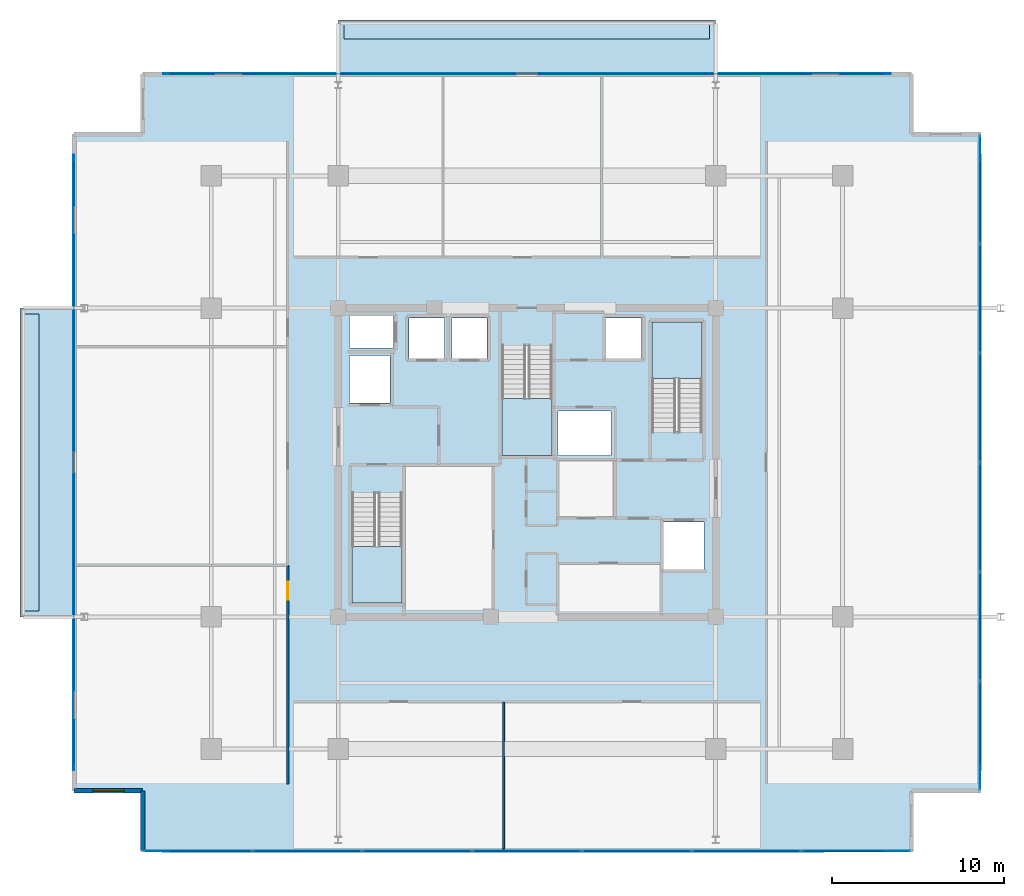
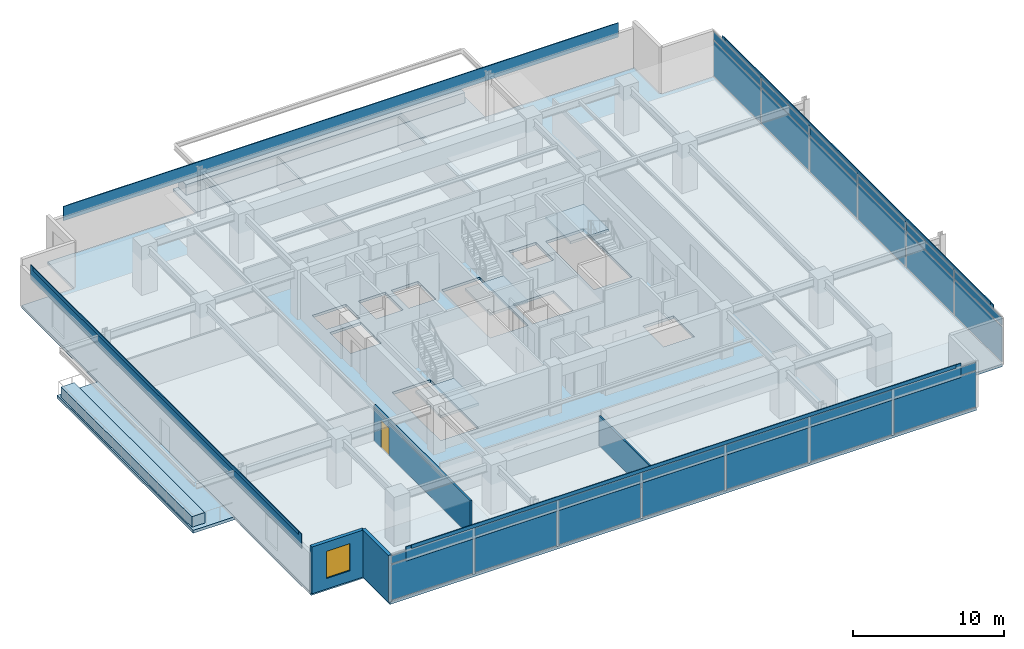
# One storey, part 12 of 18: 34 plates, 8 slabs, 4 walls, 1 door, 1 window, 2 openings, 5 elements without a shape of their own.
"""IFC4 building model written with IfcOpenShell, lengths in metres."""

from ifc_helpers import new_model, si_unit, direction, frame, frame_2d, origin, origin_2d, place, context, subcontext, project, spatial, polyline, rectangle, outline, extrude, material, layer, layer_set, type_object, element, fill, aggregate, save


model = new_model("IFC4")

# Units and contexts
model_context = context("Model", 3, precision=1e-05, world=origin(), true_north=direction((0.0, 1.0)))
body_context = subcontext(model_context, "Body", "Model", "MODEL_VIEW")
ifc_project = project(units=[si_unit("LENGTHUNIT", "METRE"), si_unit("AREAUNIT", "SQUARE_METRE"), si_unit("VOLUMEUNIT", "CUBIC_METRE"), si_unit("PLANEANGLEUNIT", "RADIAN"), si_unit("MASSUNIT", "GRAM", prefix="KILO")], contexts=[model_context])

# Site, building, storey
site_placement = place(None, origin())
site = spatial("IfcSite", under=ifc_project, at=site_placement, CompositionType="ELEMENT")
building_placement = place(site_placement, origin())
building = spatial("IfcBuilding", under=site, at=building_placement, Name="Kovane Verandah Tower", CompositionType="ELEMENT")
storey_placement = place(building_placement, frame((0.0, 0.0, 251.199951171875)))
storey = spatial("IfcBuildingStorey", under=building, at=storey_placement, Name="L58", CompositionType="ELEMENT", Elevation=251.199951171875)

# Curtain wall, plates
ifc_material_1 = material(Name="Champagne Anodised Aluminium Frame with Low-E Clear Laminated Glass", Category="aluminium")
curtain_wall_type = type_object("IfcCurtainWallType", Name="CW-SYS-05-HIGH", PredefinedType="NOTDEFINED", material=ifc_material_1)
curtain_wall_1_placement = place(storey_placement, origin())
curtain_wall_1 = element("IfcCurtainWall", 1, at=curtain_wall_1_placement, inside=storey, type_object=curtain_wall_type, Name="L58 S Unitised Curtain Wall", PredefinedType="NOTDEFINED")
ifc_material_2 = material(Name="Pale Champagne Anodised Aluminium Insulated Spandrel", Category="aluminium")
ifc_layer_1 = layer(ifc_material_2, 0.0400390625)
ifc_layer_set_1 = layer_set([ifc_layer_1], Name="Pale Champagne Anodised Aluminium Insulated Spandrel")
plate_type_1 = type_object("IfcPlateType", Name="PL-CW-SPD-40", PredefinedType="SHEET", material=ifc_layer_set_1)
plate_1_placement = place(storey_placement, frame((20.80322265625, 4.8623046875, 3.05517578125), z_axis=(0.0, 0.0, 1.0), x_axis=(1.0, 0.0, 0.0)))
plate_1 = element("IfcPlate", 2, at=plate_1_placement, type_object=plate_type_1, Name="L58 S Unitised Curtain Wall Spandrel Panel 1", PredefinedType="SHEET", context=body_context, shape_type="SweptSolid", body=[
    extrude(rectangle(XDim=6.2587890625, YDim=0.0400390625, at=origin_2d()), origin(), (0.0, 0.0, 1.0), 0.639892578125),
])
plate_2_placement = place(storey_placement, frame((27.2021484375, 4.8623046875, 3.05517578125), z_axis=(0.0, 0.0, 1.0), x_axis=(1.0, 0.0, 0.0)))
plate_2 = element("IfcPlate", 3, at=plate_2_placement, type_object=plate_type_1, Name="L58 S Unitised Curtain Wall Spandrel Panel 2", PredefinedType="SHEET", context=body_context, shape_type="SweptSolid", body=[
    extrude(rectangle(XDim=6.2587890625, YDim=0.0400390625, at=origin_2d()), origin(), (0.0, 0.0, 1.0), 0.639892578125),
])
plate_3_placement = place(storey_placement, frame((33.60107421875, 4.8623046875, 3.05517578125), z_axis=(0.0, 0.0, 1.0), x_axis=(1.0, 0.0, 0.0)))
plate_3 = element("IfcPlate", 4, at=plate_3_placement, type_object=plate_type_1, Name="L58 S Unitised Curtain Wall Spandrel Panel 3", PredefinedType="SHEET", context=body_context, shape_type="SweptSolid", body=[
    extrude(rectangle(XDim=6.2587890625, YDim=0.0400390625, at=origin_2d()), origin(), (0.0, 0.0, 1.0), 0.639892578125),
])
plate_4_placement = place(storey_placement, frame((40.0, 4.8623046875, 3.05517578125), z_axis=(0.0, 0.0, 1.0), x_axis=(1.0, 0.0, 0.0)))
plate_4 = element("IfcPlate", 5, at=plate_4_placement, type_object=plate_type_1, Name="L58 S Unitised Curtain Wall Spandrel Panel 4", PredefinedType="SHEET", context=body_context, shape_type="SweptSolid", body=[
    extrude(rectangle(XDim=6.2587890625, YDim=0.0400390625, at=origin_2d()), origin(), (0.0, 0.0, 1.0), 0.639892578125),
])
plate_5_placement = place(storey_placement, frame((46.39892578125, 4.8623046875, 3.05517578125), z_axis=(0.0, 0.0, 1.0), x_axis=(1.0, 0.0, 0.0)))
plate_5 = element("IfcPlate", 6, at=plate_5_placement, type_object=plate_type_1, Name="L58 S Unitised Curtain Wall Spandrel Panel 5", PredefinedType="SHEET", context=body_context, shape_type="SweptSolid", body=[
    extrude(rectangle(XDim=6.2587890625, YDim=0.0400390625, at=origin_2d()), origin(), (0.0, 0.0, 1.0), 0.639892578125),
])
plate_6_placement = place(storey_placement, frame((52.7978515625, 4.8623046875, 3.05517578125), z_axis=(0.0, 0.0, 1.0), x_axis=(1.0, 0.0, 0.0)))
plate_6 = element("IfcPlate", 7, at=plate_6_placement, type_object=plate_type_1, Name="L58 S Unitised Curtain Wall Spandrel Panel 6", PredefinedType="SHEET", context=body_context, shape_type="SweptSolid", body=[
    extrude(rectangle(XDim=6.2587890625, YDim=0.0400390625, at=origin_2d()), origin(), (0.0, 0.0, 1.0), 0.639892578125),
])
plate_7_placement = place(storey_placement, frame((59.19677734375, 4.8623046875, 3.05517578125), z_axis=(0.0, 0.0, 1.0), x_axis=(1.0, 0.0, 0.0)))
plate_7 = element("IfcPlate", 8, at=plate_7_placement, type_object=plate_type_1, Name="L58 S Unitised Curtain Wall Spandrel Panel 7", PredefinedType="SHEET", context=body_context, shape_type="SweptSolid", body=[
    extrude(rectangle(XDim=6.2587890625, YDim=0.0400390625, at=origin_2d()), origin(), (0.0, 0.0, 1.0), 0.639892578125),
])

curtain_wall_2_placement = place(storey_placement, origin())
curtain_wall_2 = element("IfcCurtainWall", 9, at=curtain_wall_2_placement, inside=storey, type_object=curtain_wall_type, Name="L58 E Unitised Curtain Wall", PredefinedType="NOTDEFINED")
plate_8_placement = place(storey_placement, frame((66.396240234375, 11.552001953125, 3.05517578125), z_axis=(0.0, 0.0, 1.0), x_axis=(0.0, 1.0, 0.0)))
plate_8 = element("IfcPlate", 10, at=plate_8_placement, type_object=plate_type_1, Name="L58 E Unitised Curtain Wall Spandrel Panel 1", PredefinedType="SHEET", context=body_context, shape_type="SweptSolid", body=[
    extrude(rectangle(XDim=6.2392578125, YDim=0.0400390625, at=origin_2d()), origin(), (0.0, 0.0, 1.0), 0.639892578125),
])
plate_9_placement = place(storey_placement, frame((66.396240234375, 17.93115234375, 3.05517578125), z_axis=(0.0, 0.0, 1.0), x_axis=(0.0, 1.0, 0.0)))
plate_9 = element("IfcPlate", 11, at=plate_9_placement, type_object=plate_type_1, Name="L58 E Unitised Curtain Wall Spandrel Panel 2", PredefinedType="SHEET", context=body_context, shape_type="SweptSolid", body=[
    extrude(rectangle(XDim=6.2392578125, YDim=0.0400390625, at=origin_2d()), origin(), (0.0, 0.0, 1.0), 0.639892578125),
])
plate_10_placement = place(storey_placement, frame((66.396240234375, 24.310302734375, 3.05517578125), z_axis=(0.0, 0.0, 1.0), x_axis=(0.0, 1.0, 0.0)))
plate_10 = element("IfcPlate", 12, at=plate_10_placement, type_object=plate_type_1, Name="L58 E Unitised Curtain Wall Spandrel Panel 3", PredefinedType="SHEET", context=body_context, shape_type="SweptSolid", body=[
    extrude(rectangle(XDim=6.2392578125, YDim=0.0400390625, at=origin_2d()), origin(), (0.0, 0.0, 1.0), 0.639892578125),
])
plate_11_placement = place(storey_placement, frame((66.396240234375, 30.689697265625, 3.05517578125), z_axis=(0.0, 0.0, 1.0), x_axis=(0.0, 1.0, 0.0)))
plate_11 = element("IfcPlate", 13, at=plate_11_placement, type_object=plate_type_1, Name="L58 E Unitised Curtain Wall Spandrel Panel 4", PredefinedType="SHEET", context=body_context, shape_type="SweptSolid", body=[
    extrude(rectangle(XDim=6.2392578125, YDim=0.0400390625, at=origin_2d()), origin(), (0.0, 0.0, 1.0), 0.639892578125),
])
plate_12_placement = place(storey_placement, frame((66.396240234375, 37.06884765625, 3.05517578125), z_axis=(0.0, 0.0, 1.0), x_axis=(0.0, 1.0, 0.0)))
plate_12 = element("IfcPlate", 14, at=plate_12_placement, type_object=plate_type_1, Name="L58 E Unitised Curtain Wall Spandrel Panel 5", PredefinedType="SHEET", context=body_context, shape_type="SweptSolid", body=[
    extrude(rectangle(XDim=6.2392578125, YDim=0.0400390625, at=origin_2d()), origin(), (0.0, 0.0, 1.0), 0.639892578125),
])
plate_13_placement = place(storey_placement, frame((66.396240234375, 43.447998046875, 3.05517578125), z_axis=(0.0, 0.0, 1.0), x_axis=(0.0, 1.0, 0.0)))
plate_13 = element("IfcPlate", 15, at=plate_13_placement, type_object=plate_type_1, Name="L58 E Unitised Curtain Wall Spandrel Panel 6", PredefinedType="SHEET", context=body_context, shape_type="SweptSolid", body=[
    extrude(rectangle(XDim=6.2392578125, YDim=0.0400390625, at=origin_2d()), origin(), (0.0, 0.0, 1.0), 0.639892578125),
])

# Plate
ifc_material_3 = material(Name="Clear Low-E Laminated Double Glazing", Category="glass")
ifc_layer_2 = layer(ifc_material_3, 0.031982421875)
ifc_layer_set_2 = layer_set([ifc_layer_2], Name="Clear Low-E Laminated Double Glazing")
plate_type_2 = type_object("IfcPlateType", Name="PL-CW-VIS-32", PredefinedType="CURTAIN_PANEL", material=ifc_layer_set_2)
plate_14_placement = place(storey_placement, frame((20.80322265625, 4.8623046875, 0.10009765625), z_axis=(0.0, 0.0, 1.0), x_axis=(1.0, 0.0, 0.0)))
plate_14 = element("IfcPlate", 16, at=plate_14_placement, type_object=plate_type_2, Name="L58 S Unitised Curtain Wall Vision Panel 1", PredefinedType="CURTAIN_PANEL", context=body_context, shape_type="SweptSolid", body=[
    extrude(rectangle(XDim=6.2587890625, YDim=0.031982421875, at=origin_2d()), origin(), (0.0, 0.0, 1.0), 2.85498046875),
])

plate_15_placement = place(storey_placement, frame((27.2021484375, 4.8623046875, 0.10009765625), z_axis=(0.0, 0.0, 1.0), x_axis=(1.0, 0.0, 0.0)))
plate_15 = element("IfcPlate", 17, at=plate_15_placement, type_object=plate_type_2, Name="L58 S Unitised Curtain Wall Vision Panel 2", PredefinedType="CURTAIN_PANEL", context=body_context, shape_type="SweptSolid", body=[
    extrude(rectangle(XDim=6.2587890625, YDim=0.031982421875, at=origin_2d()), origin(), (0.0, 0.0, 1.0), 2.85498046875),
])

plate_16_placement = place(storey_placement, frame((33.60107421875, 4.8623046875, 0.10009765625), z_axis=(0.0, 0.0, 1.0), x_axis=(1.0, 0.0, 0.0)))
plate_16 = element("IfcPlate", 18, at=plate_16_placement, type_object=plate_type_2, Name="L58 S Unitised Curtain Wall Vision Panel 3", PredefinedType="CURTAIN_PANEL", context=body_context, shape_type="SweptSolid", body=[
    extrude(rectangle(XDim=6.2587890625, YDim=0.031982421875, at=origin_2d()), origin(), (0.0, 0.0, 1.0), 2.85498046875),
])

plate_17_placement = place(storey_placement, frame((40.0, 4.8623046875, 0.10009765625), z_axis=(0.0, 0.0, 1.0), x_axis=(1.0, 0.0, 0.0)))
plate_17 = element("IfcPlate", 19, at=plate_17_placement, type_object=plate_type_2, Name="L58 S Unitised Curtain Wall Vision Panel 4", PredefinedType="CURTAIN_PANEL", context=body_context, shape_type="SweptSolid", body=[
    extrude(rectangle(XDim=6.2587890625, YDim=0.031982421875, at=origin_2d()), origin(), (0.0, 0.0, 1.0), 2.85498046875),
])

plate_18_placement = place(storey_placement, frame((46.39892578125, 4.8623046875, 0.10009765625), z_axis=(0.0, 0.0, 1.0), x_axis=(1.0, 0.0, 0.0)))
plate_18 = element("IfcPlate", 20, at=plate_18_placement, type_object=plate_type_2, Name="L58 S Unitised Curtain Wall Vision Panel 5", PredefinedType="CURTAIN_PANEL", context=body_context, shape_type="SweptSolid", body=[
    extrude(rectangle(XDim=6.2587890625, YDim=0.031982421875, at=origin_2d()), origin(), (0.0, 0.0, 1.0), 2.85498046875),
])

plate_19_placement = place(storey_placement, frame((52.7978515625, 4.8623046875, 0.10009765625), z_axis=(0.0, 0.0, 1.0), x_axis=(1.0, 0.0, 0.0)))
plate_19 = element("IfcPlate", 21, at=plate_19_placement, type_object=plate_type_2, Name="L58 S Unitised Curtain Wall Vision Panel 6", PredefinedType="CURTAIN_PANEL", context=body_context, shape_type="SweptSolid", body=[
    extrude(rectangle(XDim=6.2587890625, YDim=0.031982421875, at=origin_2d()), origin(), (0.0, 0.0, 1.0), 2.85498046875),
])

plate_20_placement = place(storey_placement, frame((59.19677734375, 4.8623046875, 0.10009765625), z_axis=(0.0, 0.0, 1.0), x_axis=(1.0, 0.0, 0.0)))
plate_20 = element("IfcPlate", 22, at=plate_20_placement, type_object=plate_type_2, Name="L58 S Unitised Curtain Wall Vision Panel 7", PredefinedType="CURTAIN_PANEL", context=body_context, shape_type="SweptSolid", body=[
    extrude(rectangle(XDim=6.2587890625, YDim=0.031982421875, at=origin_2d()), origin(), (0.0, 0.0, 1.0), 2.85498046875),
])

aggregate(curtain_wall_1, [plate_14, plate_1, plate_15, plate_2, plate_16, plate_3, plate_17, plate_4, plate_18, plate_5, plate_19, plate_6, plate_20, plate_7])

plate_21_placement = place(storey_placement, frame((66.396240234375, 11.552001953125, 0.10009765625), z_axis=(0.0, 0.0, 1.0), x_axis=(0.0, 1.0, 0.0)))
plate_21 = element("IfcPlate", 23, at=plate_21_placement, type_object=plate_type_2, Name="L58 E Unitised Curtain Wall Vision Panel 1", PredefinedType="CURTAIN_PANEL", context=body_context, shape_type="SweptSolid", body=[
    extrude(rectangle(XDim=6.2392578125, YDim=0.031982421875, at=origin_2d()), origin(), (0.0, 0.0, 1.0), 2.85498046875),
])

plate_22_placement = place(storey_placement, frame((66.396240234375, 17.93115234375, 0.10009765625), z_axis=(0.0, 0.0, 1.0), x_axis=(0.0, 1.0, 0.0)))
plate_22 = element("IfcPlate", 24, at=plate_22_placement, type_object=plate_type_2, Name="L58 E Unitised Curtain Wall Vision Panel 2", PredefinedType="CURTAIN_PANEL", context=body_context, shape_type="SweptSolid", body=[
    extrude(rectangle(XDim=6.2392578125, YDim=0.031982421875, at=origin_2d()), origin(), (0.0, 0.0, 1.0), 2.85498046875),
])

plate_23_placement = place(storey_placement, frame((66.396240234375, 24.310302734375, 0.10009765625), z_axis=(0.0, 0.0, 1.0), x_axis=(0.0, 1.0, 0.0)))
plate_23 = element("IfcPlate", 25, at=plate_23_placement, type_object=plate_type_2, Name="L58 E Unitised Curtain Wall Vision Panel 3", PredefinedType="CURTAIN_PANEL", context=body_context, shape_type="SweptSolid", body=[
    extrude(rectangle(XDim=6.2392578125, YDim=0.031982421875, at=origin_2d()), origin(), (0.0, 0.0, 1.0), 2.85498046875),
])

plate_24_placement = place(storey_placement, frame((66.396240234375, 30.689697265625, 0.10009765625), z_axis=(0.0, 0.0, 1.0), x_axis=(0.0, 1.0, 0.0)))
plate_24 = element("IfcPlate", 26, at=plate_24_placement, type_object=plate_type_2, Name="L58 E Unitised Curtain Wall Vision Panel 4", PredefinedType="CURTAIN_PANEL", context=body_context, shape_type="SweptSolid", body=[
    extrude(rectangle(XDim=6.2392578125, YDim=0.031982421875, at=origin_2d()), origin(), (0.0, 0.0, 1.0), 2.85498046875),
])

plate_25_placement = place(storey_placement, frame((66.396240234375, 37.06884765625, 0.10009765625), z_axis=(0.0, 0.0, 1.0), x_axis=(0.0, 1.0, 0.0)))
plate_25 = element("IfcPlate", 27, at=plate_25_placement, type_object=plate_type_2, Name="L58 E Unitised Curtain Wall Vision Panel 5", PredefinedType="CURTAIN_PANEL", context=body_context, shape_type="SweptSolid", body=[
    extrude(rectangle(XDim=6.2392578125, YDim=0.031982421875, at=origin_2d()), origin(), (0.0, 0.0, 1.0), 2.85498046875),
])

plate_26_placement = place(storey_placement, frame((66.396240234375, 43.447998046875, 0.10009765625), z_axis=(0.0, 0.0, 1.0), x_axis=(0.0, 1.0, 0.0)))
plate_26 = element("IfcPlate", 28, at=plate_26_placement, type_object=plate_type_2, Name="L58 E Unitised Curtain Wall Vision Panel 6", PredefinedType="CURTAIN_PANEL", context=body_context, shape_type="SweptSolid", body=[
    extrude(rectangle(XDim=6.2392578125, YDim=0.031982421875, at=origin_2d()), origin(), (0.0, 0.0, 1.0), 2.85498046875),
])

aggregate(curtain_wall_2, [plate_21, plate_8, plate_22, plate_9, plate_23, plate_10, plate_24, plate_11, plate_25, plate_12, plate_26, plate_13])

# Plates
ifc_material_4 = material(Name="Perforated Pale Champagne Anodised Aluminium Solar Screen", Category="aluminium")
ifc_layer_3 = layer(ifc_material_4, 0.050048828125)
ifc_layer_set_3 = layer_set([ifc_layer_3], Name="Perforated Pale Champagne Anodised Aluminium Solar Screen")
plate_type_3 = type_object("IfcPlateType", Name="PL-SCREEN-50", PredefinedType="USERDEFINED", material=ifc_layer_set_3)
plate_27_placement = place(storey_placement, frame((40.0, 4.847412109375, 2.885009765625), z_axis=(0.0, 0.0, 1.0), x_axis=(1.0, 0.0, 0.0)))
element("IfcPlate", 29, at=plate_27_placement, inside=storey, type_object=plate_type_3, Name="L58 S Perforated Champagne-Gold Solar Screen", ObjectType="SCREEN", PredefinedType="USERDEFINED", context=body_context, shape_type="SweptSolid", body=[
    extrude(rectangle(XDim=42.39306640625, YDim=0.050048828125, at=origin_2d()), origin(), (0.0, 0.0, 1.0), 1.14990234375),
])
plate_28_placement = place(storey_placement, frame((66.411376953125, 27.5, 2.885009765625), z_axis=(0.0, 0.0, 1.0), x_axis=(0.0, 1.0, 0.0)))
element("IfcPlate", 30, at=plate_28_placement, inside=storey, type_object=plate_type_3, Name="L58 E Perforated Champagne-Gold Solar Screen", ObjectType="SCREEN", PredefinedType="USERDEFINED", context=body_context, shape_type="SweptSolid", body=[
    extrude(rectangle(XDim=35.875, YDim=0.050048828125, at=origin_2d()), origin(), (0.0, 0.0, 1.0), 1.14990234375),
])
plate_29_placement = place(storey_placement, frame((40.0, 50.152587890625, 2.885009765625), z_axis=(0.0, 0.0, 1.0), x_axis=(-1.0, 0.0, 0.0)))
element("IfcPlate", 31, at=plate_29_placement, inside=storey, type_object=plate_type_3, Name="L58 N Perforated Champagne-Gold Solar Screen", ObjectType="SCREEN", PredefinedType="USERDEFINED", context=body_context, shape_type="SweptSolid", body=[
    extrude(rectangle(XDim=42.39306640625, YDim=0.050048828125, at=origin_2d()), origin(), (0.0, 0.0, 1.0), 1.14990234375),
])
plate_30_placement = place(storey_placement, frame((13.588623046875, 27.5, 2.885009765625), z_axis=(0.0, 0.0, 1.0), x_axis=(0.0, -1.0, 0.0)))
element("IfcPlate", 32, at=plate_30_placement, inside=storey, type_object=plate_type_3, Name="L58 W Perforated Champagne-Gold Solar Screen", ObjectType="SCREEN", PredefinedType="USERDEFINED", context=body_context, shape_type="SweptSolid", body=[
    extrude(rectangle(XDim=35.875, YDim=0.050048828125, at=origin_2d()), origin(), (0.0, 0.0, 1.0), 1.14990234375),
])
ifc_material_5 = material(Name="Extruded Pale-Bronze Aluminium Aerofoil Sunshade", Category="aluminium")
ifc_layer_4 = layer(ifc_material_5, 0.06005859375)
ifc_layer_set_4 = layer_set([ifc_layer_4], Name="Extruded Pale-Bronze Aluminium Aerofoil Sunshade")
plate_type_4 = type_object("IfcPlateType", Name="PL-SUNSHADE-60", PredefinedType="USERDEFINED", material=ifc_layer_set_4)
plate_31_placement = place(storey_placement, frame((40.0, 4.84228515625, 3.76513671875), z_axis=(0.0, 0.0, 1.0), x_axis=(1.0, 0.0, 0.0)))
element("IfcPlate", 33, at=plate_31_placement, inside=storey, type_object=plate_type_4, Name="L58 S Subtropical Aerofoil Sunshade", ObjectType="SUNSHADE", PredefinedType="USERDEFINED", context=body_context, shape_type="SweptSolid", body=[
    extrude(rectangle(XDim=41.593017578125, YDim=0.06005859375, at=origin_2d()), origin(), (0.0, 0.0, 1.0), 0.280029296875),
])
plate_32_placement = place(storey_placement, frame((66.416259765625, 27.5, 3.76513671875), z_axis=(0.0, 0.0, 1.0), x_axis=(0.0, 1.0, 0.0)))
element("IfcPlate", 34, at=plate_32_placement, inside=storey, type_object=plate_type_4, Name="L58 E Subtropical Aerofoil Sunshade", ObjectType="SUNSHADE", PredefinedType="USERDEFINED", context=body_context, shape_type="SweptSolid", body=[
    extrude(rectangle(XDim=35.074951171875, YDim=0.06005859375, at=origin_2d()), origin(), (0.0, 0.0, 1.0), 0.280029296875),
])
plate_33_placement = place(storey_placement, frame((40.0, 50.15771484375, 3.76513671875), z_axis=(0.0, 0.0, 1.0), x_axis=(-1.0, 0.0, 0.0)))
element("IfcPlate", 35, at=plate_33_placement, inside=storey, type_object=plate_type_4, Name="L58 N Subtropical Aerofoil Sunshade", ObjectType="SUNSHADE", PredefinedType="USERDEFINED", context=body_context, shape_type="SweptSolid", body=[
    extrude(rectangle(XDim=41.593017578125, YDim=0.06005859375, at=origin_2d()), origin(), (0.0, 0.0, 1.0), 0.280029296875),
])
plate_34_placement = place(storey_placement, frame((13.583740234375, 27.5, 3.76513671875), z_axis=(0.0, 0.0, 1.0), x_axis=(0.0, -1.0, 0.0)))
element("IfcPlate", 36, at=plate_34_placement, inside=storey, type_object=plate_type_4, Name="L58 W Subtropical Aerofoil Sunshade", ObjectType="SUNSHADE", PredefinedType="USERDEFINED", context=body_context, shape_type="SweptSolid", body=[
    extrude(rectangle(XDim=35.074951171875, YDim=0.06005859375, at=origin_2d()), origin(), (0.0, 0.0, 1.0), 0.280029296875),
])

# Slabs
ifc_material_6 = material(Name="Concrete C45/55", Category="concrete")
ifc_layer_5 = layer(ifc_material_6, 0.239990234375)
ifc_layer_set_5 = layer_set([ifc_layer_5], Name="Concrete C45/55")
slab_type_1 = type_object("IfcSlabType", Name="SL-BALC-240", PredefinedType="FLOOR", material=ifc_layer_set_5)
slab_1_placement = place(storey_placement, frame((0.0, 0.0, -0.239990234375)))
element("IfcSlab", 37, at=slab_1_placement, inside=storey, type_object=slab_type_1, Name="L58 N Planted Verandah Balcony Slab", PredefinedType="FLOOR", context=body_context, shape_type="SweptSolid", body=[
    extrude(outline(polyline([(29.0, 50.1376953125), (51.0, 50.1376953125), (51.0, 53.28759765625), (29.0, 53.28759765625), (29.0, 50.1376953125)])), origin(), (0.0, 0.0, 1.0), 0.239990234375),
])
slab_2_placement = place(storey_placement, frame((0.0, 0.0, -0.239990234375)))
element("IfcSlab", 38, at=slab_2_placement, inside=storey, type_object=slab_type_1, Name="L58 W Planted Verandah Balcony Slab", PredefinedType="FLOOR", context=body_context, shape_type="SweptSolid", body=[
    extrude(outline(polyline([(10.45361328125, 18.5), (13.603759765625, 18.5), (13.603759765625, 36.5), (10.45361328125, 36.5), (10.45361328125, 18.5)])), origin(), (0.0, 0.0, 1.0), 0.239990234375),
])
ifc_layer_6 = layer(ifc_material_6, 0.215087890625)
ifc_layer_set_6 = layer_set([ifc_layer_6], Name="Concrete C45/55")
slab_type_2 = type_object("IfcSlabType", Name="SL-HIGH-215", PredefinedType="FLOOR", material=ifc_layer_set_6)
slab_3_placement = place(storey_placement, frame((0.0, 0.0, -0.21484375)))
element("IfcSlab", 39, at=slab_3_placement, inside=storey, type_object=slab_type_2, Name="L58 Structural Floor Slab", PredefinedType="FLOOR", context=body_context, shape_type="SweptSolid", body=[
    extrude(outline(polyline([(17.603759765625, 4.8623046875), (62.396240234375, 4.8623046875), (62.396240234375, 8.3623046875), (66.396240234375, 8.3623046875), (66.396240234375, 46.6376953125), (62.396240234375, 46.6376953125), (62.396240234375, 50.1376953125), (17.603759765625, 50.1376953125), (17.603759765625, 46.6376953125), (13.603759765625, 46.6376953125), (13.603759765625, 8.3623046875), (17.603759765625, 8.3623046875), (17.603759765625, 4.8623046875)]), holes=[polyline([(29.800048828125, 19.300048828125), (32.719970703125, 19.300048828125), (32.719970703125, 25.705078125), (29.800048828125, 25.705078125), (29.800048828125, 19.300048828125)]), polyline([(47.280029296875, 29.294921875), (50.199951171875, 29.294921875), (50.199951171875, 35.699951171875), (47.280029296875, 35.699951171875), (47.280029296875, 29.294921875)]), polyline([(38.5400390625, 27.89990234375), (41.4599609375, 27.89990234375), (41.4599609375, 34.304931640625), (38.5400390625, 34.304931640625), (38.5400390625, 27.89990234375)]), polyline([(29.669921875, 30.969970703125), (32.030029296875, 30.969970703125), (32.030029296875, 33.72998046875), (29.669921875, 33.72998046875), (29.669921875, 30.969970703125)]), polyline([(47.969970703125, 21.27001953125), (50.330078125, 21.27001953125), (50.330078125, 24.030029296875), (47.969970703125, 24.030029296875), (47.969970703125, 21.27001953125)]), polyline([(29.669921875, 34.169921875), (32.22998046875, 34.169921875), (32.22998046875, 36.030029296875), (29.669921875, 36.030029296875), (29.669921875, 34.169921875)]), polyline([(33.1201171875, 33.570068359375), (35.179931640625, 33.570068359375), (35.179931640625, 35.929931640625), (33.1201171875, 35.929931640625), (33.1201171875, 33.570068359375)]), polyline([(35.6201171875, 33.570068359375), (37.679931640625, 33.570068359375), (37.679931640625, 35.929931640625), (35.6201171875, 35.929931640625), (35.6201171875, 33.570068359375)]), polyline([(44.6201171875, 33.570068359375), (46.679931640625, 33.570068359375), (46.679931640625, 35.929931640625), (44.6201171875, 35.929931640625), (44.6201171875, 33.570068359375)]), polyline([(41.800048828125, 27.89990234375), (44.89990234375, 27.89990234375), (44.89990234375, 30.5), (41.800048828125, 30.5), (41.800048828125, 27.89990234375)])]), origin(), (0.0, 0.0, 1.0), 0.21484375),
])

# Stair, slab
stair_type = type_object("IfcStairType", Name="ST-CORE-1380", PredefinedType="HALF_TURN_STAIR", material=ifc_material_6)
stair_1_placement = place(storey_placement, origin())
stair_1 = element("IfcStair", 40, at=stair_1_placement, inside=storey, type_object=stair_type, Name="L58 Exit Stair ST-01", PredefinedType="HALF_TURN_STAIR")
ifc_layer_7 = layer(ifc_material_6, 0.199951171875)
ifc_layer_set_7 = layer_set([ifc_layer_7], Name="Concrete C45/55")
slab_type_3 = type_object("IfcSlabType", Name="SL-LAND-200", PredefinedType="LANDING", material=ifc_layer_set_7)
slab_4_placement = place(storey_placement, frame((0.0, 0.0, 1.800048828125)))
slab_4 = element("IfcSlab", 41, at=slab_4_placement, type_object=slab_type_3, Name="ST-01 landing 1", PredefinedType="LANDING", context=body_context, shape_type="SweptSolid", body=[
    extrude(outline(polyline([(29.800048828125, 22.614990234375), (29.800048828125, 19.300048828125), (32.719970703125, 19.300048828125), (32.719970703125, 22.614990234375), (29.800048828125, 22.614990234375)])), origin(), (0.0, 0.0, 1.0), 0.199951171875),
])
aggregate(stair_1, [slab_4])

stair_2_placement = place(storey_placement, origin())
stair_2 = element("IfcStair", 42, at=stair_2_placement, inside=storey, type_object=stair_type, Name="L58 Exit Stair ST-02", PredefinedType="HALF_TURN_STAIR")
slab_5_placement = place(storey_placement, frame((0.0, 0.0, 1.800048828125)))
slab_5 = element("IfcSlab", 43, at=slab_5_placement, type_object=slab_type_3, Name="ST-02 landing 1", PredefinedType="LANDING", context=body_context, shape_type="SweptSolid", body=[
    extrude(outline(polyline([(50.199951171875, 32.385009765625), (50.199951171875, 35.699951171875), (47.280029296875, 35.699951171875), (47.280029296875, 32.385009765625), (50.199951171875, 32.385009765625)])), origin(), (0.0, 0.0, 1.0), 0.199951171875),
])
aggregate(stair_2, [slab_5])

stair_3_placement = place(storey_placement, origin())
stair_3 = element("IfcStair", 44, at=stair_3_placement, inside=storey, type_object=stair_type, Name="L58 Exit Stair ST-03", PredefinedType="HALF_TURN_STAIR")
slab_6_placement = place(storey_placement, frame((0.0, 0.0, 1.800048828125)))
slab_6 = element("IfcSlab", 45, at=slab_6_placement, type_object=slab_type_3, Name="ST-03 landing 1", PredefinedType="LANDING", context=body_context, shape_type="SweptSolid", body=[
    extrude(outline(polyline([(38.5400390625, 31.215087890625), (38.5400390625, 27.89990234375), (41.4599609375, 27.89990234375), (41.4599609375, 31.215087890625), (38.5400390625, 31.215087890625)])), origin(), (0.0, 0.0, 1.0), 0.199951171875),
])
aggregate(stair_3, [slab_6])

# Slabs
ifc_material_7 = material(Name="Architectural Precast Concrete C45/55 Planter Trough", Category="concrete")
ifc_layer_8 = layer(ifc_material_7, 0.219970703125)
ifc_layer_set_8 = layer_set([ifc_layer_8], Name="Architectural Precast Concrete C45/55 Planter Trough")
slab_type_4 = type_object("IfcSlabType", Name="SL-PLANTER-220", PredefinedType="USERDEFINED", material=ifc_layer_set_8)
slab_7_placement = place(storey_placement, origin())
element("IfcSlab", 46, at=slab_7_placement, inside=storey, type_object=slab_type_4, Name="L58 N Structural Tree Planter", ObjectType="PLANTER", PredefinedType="USERDEFINED", context=body_context, shape_type="SweptSolid", body=[
    extrude(outline(polyline([(29.35009765625, 52.1875), (50.64990234375, 52.1875), (50.64990234375, 53.1875), (29.35009765625, 53.1875), (29.35009765625, 52.1875)])), origin(), (0.0, 0.0, 1.0), 0.85009765625),
])
slab_8_placement = place(storey_placement, origin())
element("IfcSlab", 47, at=slab_8_placement, inside=storey, type_object=slab_type_4, Name="L58 W Structural Tree Planter", ObjectType="PLANTER", PredefinedType="USERDEFINED", context=body_context, shape_type="SweptSolid", body=[
    extrude(outline(polyline([(10.5537109375, 18.85009765625), (11.5537109375, 18.85009765625), (11.5537109375, 36.14990234375), (10.5537109375, 36.14990234375), (10.5537109375, 18.85009765625)])), origin(), (0.0, 0.0, 1.0), 0.85009765625),
])

# Wall, opening, door
ifc_material_8 = material(Name="Fire-Rated Gypsum Stud Partition", Category="gypsum")
ifc_layer_9 = layer(ifc_material_8, 0.14990234375)
ifc_layer_set_9 = layer_set([ifc_layer_9], Name="Fire-Rated Gypsum Stud Partition")
wall_type_1 = type_object("IfcWallType", Name="WL-COR-150", PredefinedType="PARTITIONING", material=ifc_layer_set_9)
wall_1_placement = place(storey_placement, frame((26.050048828125, 8.762451171875, 0.0), z_axis=(0.0, 0.0, 1.0), x_axis=(0.0, 1.0, 0.0)))
wall_1 = element("IfcWall", 48, at=wall_1_placement, inside=storey, type_object=wall_type_1, Name="L58 Executive Office W1 Corridor Partition", PredefinedType="PARTITIONING", context=body_context, shape_type="SweptSolid", body=[
    extrude(rectangle(XDim=12.741455078125, YDim=0.14990234375, at=frame_2d((6.37060546875, 0.0))), origin(), (0.0, 0.0, 1.0), 2.85009765625),
])
opening_1_placement = place(wall_1_placement, frame((10.7294921875, 0.0, 0.0)))
opening_1 = element("IfcOpeningElement", 49, at=opening_1_placement, cuts=wall_1, Name="Opening DR-L58-025", PredefinedType="OPENING", context=body_context, shape_type="SweptSolid", body=[
    extrude(rectangle(XDim=1.050048828125, YDim=2.199951171875, at=frame_2d((0.52490234375, 1.10009765625))), frame((0.0, 0.074951171875, 0.0), z_axis=(0.0, -1.0, 0.0), x_axis=(1.0, 0.0, 0.0)), (0.0, 0.0, 1.0), 0.14990234375),
])
ifc_material_9 = material(Name="FSC Blackbutt Timber Fire-Rated Executive Door", Category="wood")
door_type = type_object("IfcDoorType", Name="DR-EXEC-1050", OperationType="SINGLE_SWING_LEFT", PredefinedType="DOOR", material=ifc_material_9)
door_placement = place(opening_1_placement, origin())
door = element("IfcDoor", 50, at=door_placement, inside=storey, type_object=door_type, Name="L58 Executive Office W1 Entrance Door", OperationType="SINGLE_SWING_RIGHT", OverallHeight=2.199951171875, OverallWidth=1.050048828125, PredefinedType="DOOR", context=body_context, shape_type="SweptSolid", body=[
    extrude(rectangle(XDim=1.050048828125, YDim=2.199951171875, at=frame_2d((0.52490234375, 1.10009765625))), frame((0.0, 0.02490234375, 0.0), z_axis=(0.0, -1.0, 0.0), x_axis=(1.0, 0.0, 0.0)), (0.0, 0.0, 1.0), 0.050048828125),
])
fill(opening_1, door)

# Wall
ifc_material_10 = material(Name="Acoustic Fire-Rated Gypsum Partition", Category="gypsum")
ifc_layer_10 = layer(ifc_material_10, 0.1201171875)
ifc_layer_set_10 = layer_set([ifc_layer_10], Name="Acoustic Fire-Rated Gypsum Partition")
wall_type_2 = type_object("IfcWallType", Name="WL-PART-120", PredefinedType="PARTITIONING", material=ifc_layer_set_10)
wall_2_placement = place(storey_placement, frame((38.639892578125, 4.96240234375, 0.0), z_axis=(0.0, 0.0, 1.0), x_axis=(0.0, 1.0, 0.0)))
element("IfcWall", 51, at=wall_2_placement, inside=storey, type_object=wall_type_2, Name="L58 Document and Print Room S1 Dividing Partition", PredefinedType="PARTITIONING", context=body_context, shape_type="SweptSolid", body=[
    extrude(rectangle(XDim=8.587646484375, YDim=0.1201171875, at=frame_2d((4.2939453125, 0.0))), origin(), (0.0, 0.0, 1.0), 2.4150390625),
])

# Wall, opening, window
ifc_material_11 = material(Name="Concrete C45/55 Insulated Spandrel Wall", Category="concrete")
ifc_layer_11 = layer(ifc_material_11, 0.260009765625)
ifc_layer_set_11 = layer_set([ifc_layer_11], Name="Concrete C45/55 Insulated Spandrel Wall")
wall_type_3 = type_object("IfcWallType", Name="WL-SPANDREL-260", PredefinedType="PARAPET", material=ifc_layer_set_11)
wall_3_placement = place(storey_placement, frame((13.603759765625, 8.3623046875, 0.0), z_axis=(0.0, 0.0, 1.0), x_axis=(1.0, 0.0, 0.0)))
wall_3 = element("IfcWall", 52, at=wall_3_placement, inside=storey, type_object=wall_type_3, Name="L58 SW Notch Cheek Wall 1", PredefinedType="PARAPET", context=body_context, shape_type="SweptSolid", body=[
    extrude(rectangle(XDim=4.0, YDim=0.260009765625, at=frame_2d((2.0, 0.0))), origin(), (0.0, 0.0, 1.0), 3.78515625),
])
opening_2_placement = place(wall_3_placement, frame((1.10009765625, 0.0, 0.85009765625)))
opening_2 = element("IfcOpeningElement", 53, at=opening_2_placement, cuts=wall_3, Name="Opening W-03", PredefinedType="OPENING", context=body_context, shape_type="SweptSolid", body=[
    extrude(rectangle(XDim=1.800048828125, YDim=2.199951171875, at=frame_2d((0.89990234375, 1.10009765625))), frame((0.0, 0.1298828125, 0.0), z_axis=(0.0, -1.0, 0.0), x_axis=(1.0, 0.0, 0.0)), (0.0, 0.0, 1.0), 0.260009765625),
])
ifc_material_12 = material(Name="Clear Low-E Laminated Double Glazing in Anodised Frame", Category="glass")
window_type = type_object("IfcWindowType", Name="WN-NOTCH-1800x2200", PartitioningType="SINGLE_PANEL", PredefinedType="WINDOW", material=ifc_material_12)
window_placement = place(opening_2_placement, origin())
window = element("IfcWindow", 54, at=window_placement, inside=storey, type_object=window_type, Name="L58 SW Re-Entrant Corner Operable Window", OverallHeight=2.199951171875, OverallWidth=1.800048828125, PartitioningType="SINGLE_PANEL", PredefinedType="WINDOW", context=body_context, shape_type="SweptSolid", body=[
    extrude(rectangle(XDim=1.800048828125, YDim=2.199951171875, at=frame_2d((0.89990234375, 1.10009765625))), frame((0.0, 0.030029296875, 0.0), z_axis=(0.0, -1.0, 0.0), x_axis=(1.0, 0.0, 0.0)), (0.0, 0.0, 1.0), 0.06005859375),
])
fill(opening_2, window)

# Wall
wall_4_placement = place(storey_placement, frame((17.603759765625, 8.3623046875, 0.0), z_axis=(0.0, 0.0, 1.0), x_axis=(0.0, -1.0, 0.0)))
element("IfcWall", 55, at=wall_4_placement, inside=storey, type_object=wall_type_3, Name="L58 SW Notch Cheek Wall 2", PredefinedType="PARAPET", context=body_context, shape_type="SweptSolid", body=[
    extrude(rectangle(XDim=3.5, YDim=0.260009765625, at=frame_2d((1.75, 0.0))), origin(), (0.0, 0.0, 1.0), 3.78515625),
])

save(model, "model.ifc")
